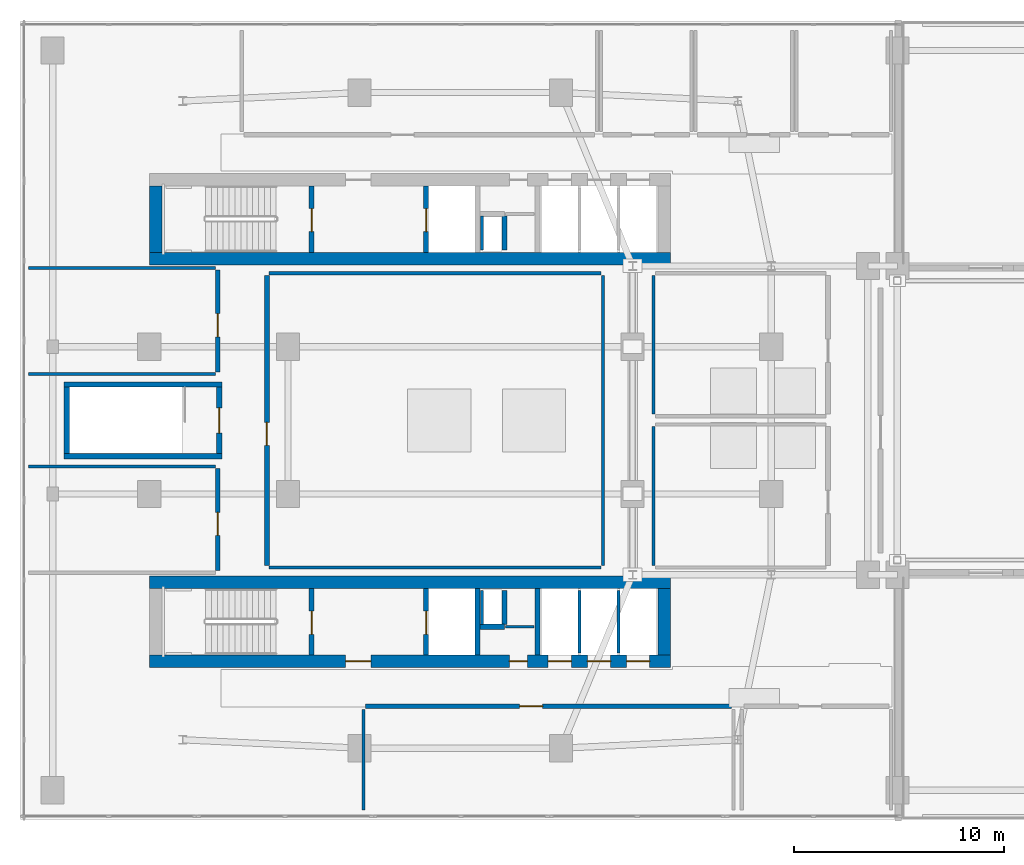
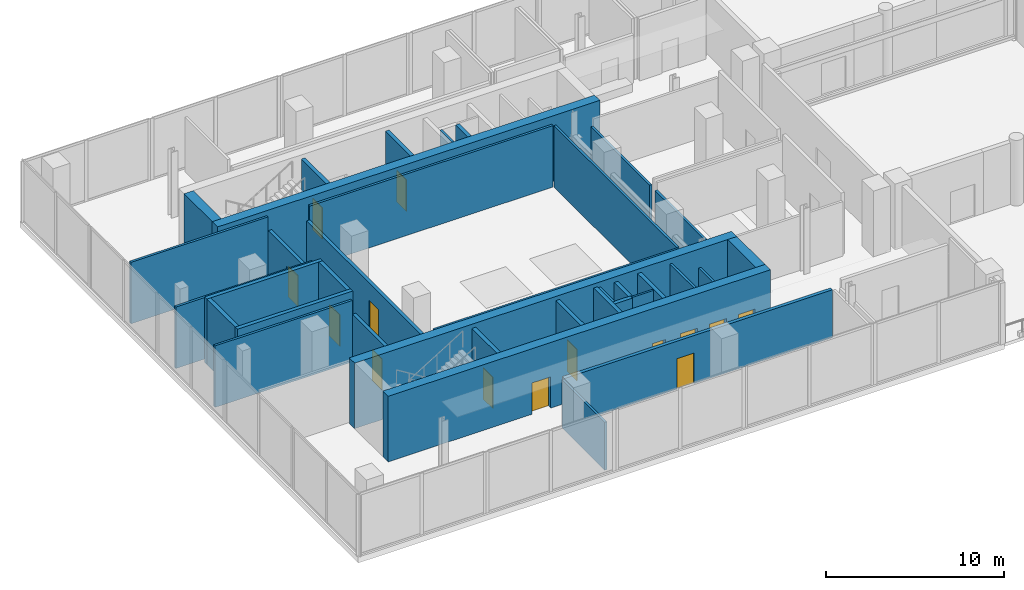
# One storey, part 14 of 21: 36 walls, 14 doors, 14 openings.
"""IFC4 building model written with IfcOpenShell, lengths in metres."""

from ifc_helpers import new_model, si_unit, derived_unit, direction, frame, frame_2d, origin, place, context, subcontext, project, spatial, rectangle, extrude, material, layer, layer_set, type_object, element, fill, save


model = new_model("IFC4")

# Units and contexts
model_context = context("Model", 3, precision=1e-05, world=origin(), true_north=direction((0.0, 1.0)))
body_context = subcontext(model_context, "Body", "Model", "MODEL_VIEW")
ifc_project = project(units=[si_unit("LENGTHUNIT", "METRE"), si_unit("AREAUNIT", "SQUARE_METRE"), si_unit("VOLUMEUNIT", "CUBIC_METRE"), si_unit("PLANEANGLEUNIT", "RADIAN"), si_unit("MASSUNIT", "GRAM", prefix="KILO"), derived_unit("THERMALTRANSMITTANCEUNIT", [(si_unit("POWERUNIT", "WATT"), 1), (si_unit("LENGTHUNIT", "METRE"), -2), (si_unit("THERMODYNAMICTEMPERATUREUNIT", "KELVIN"), -1)])], contexts=[model_context])

# Site, building, storey
site_placement = place(None, origin())
site = spatial("IfcSite", under=ifc_project, at=site_placement, CompositionType="ELEMENT")
building_placement = place(site_placement, origin())
building = spatial("IfcBuilding", under=site, at=building_placement, Name="Kivonza Crest Hotel", CompositionType="ELEMENT")
storey_placement = place(building_placement, frame((0.0, 0.0, 19.5)))
storey = spatial("IfcBuildingStorey", under=building, at=storey_placement, Name="L04", CompositionType="ELEMENT", Elevation=19.5)

# Wall, opening, door
ifc_material_1 = material(Name="Autoclaved aerated concrete blockwork", Category="masonry")
ifc_layer_1 = layer(ifc_material_1, 0.219970703125)
ifc_layer_set_1 = layer_set([ifc_layer_1], Name="Autoclaved aerated concrete blockwork")
wall_type_1 = type_object("IfcWallType", Name="WL-ACOU-220", PredefinedType="SOLIDWALL", material=ifc_layer_set_1)
wall_1_placement = place(storey_placement, frame((11.800048828125, 18.10009765625, 0.0), z_axis=(0.0, 0.0, 1.0), x_axis=(0.0, 1.0, 0.0)))
wall_1 = element("IfcWall", 1, at=wall_1_placement, inside=storey, type_object=wall_type_1, Name="L04 interior partition WA-L04-SPA-REC-W", PredefinedType="SOLIDWALL", context=body_context, shape_type="SweptSolid", body=[
    extrude(rectangle(XDim=13.7998046875, YDim=0.219970703125, at=frame_2d((6.89990234375, 0.0))), origin(), (0.0, 0.0, 1.0), 3.294921875),
])
opening_1_placement = place(wall_1_placement, frame((5.705078125, 0.0, 0.0)))
opening_1 = element("IfcOpeningElement", 2, at=opening_1_placement, cuts=wall_1, Name="Opening DF-60M", PredefinedType="OPENING", context=body_context, shape_type="SweptSolid", body=[
    extrude(rectangle(XDim=1.10009765625, YDim=2.10009765625, at=frame_2d((0.550048828125, 1.050048828125))), frame((0.0, 0.1201171875, 0.0), z_axis=(0.0, -1.0, 0.0), x_axis=(1.0, 0.0, 0.0)), (0.0, 0.0, 1.0), 0.239990234375),
])
ifc_material_2 = material(Name="Hardwood timber oak", Category="wood")
door_type_1 = type_object("IfcDoorType", Name="DR-FD60-1100", OperationType="NOTDEFINED", PredefinedType="DOOR", material=ifc_material_2)
door_1_placement = place(opening_1_placement, frame((1.10009765625, 0.0, 0.0), z_axis=(0.0, 0.0, 1.0), x_axis=(-1.0, 0.0, 0.0)))
door_1 = element("IfcDoor", 3, at=door_1_placement, inside=storey, type_object=door_type_1, Name="L04 Wellness Spa Reception Hall door", OperationType="SINGLE_SWING_LEFT", OverallHeight=2.10009765625, OverallWidth=1.10009765625, PredefinedType="DOOR", context=body_context, shape_type="SweptSolid", body=[
    extrude(rectangle(XDim=1.10009765625, YDim=2.10009765625, at=frame_2d((0.550048828125, 1.050048828125))), frame((0.0, 0.02490234375, 0.0), z_axis=(0.0, -1.0, 0.0), x_axis=(1.0, 0.0, 0.0)), (0.0, 0.0, 1.0), 0.050048828125),
])
fill(opening_1, door_1)

wall_2_placement = place(storey_placement, frame((16.5, 11.39990234375, 0.0), z_axis=(0.0, 0.0, 1.0), x_axis=(1.0, 0.0, 0.0)))
wall_2 = element("IfcWall", 4, at=wall_2_placement, inside=storey, type_object=wall_type_1, Name="L04 interior partition WA-L04-LAP-POOL-N", PredefinedType="SOLIDWALL", context=body_context, shape_type="SweptSolid", body=[
    extrude(rectangle(XDim=17.39990234375, YDim=0.219970703125, at=frame_2d((8.699951171875, 0.0))), origin(), (0.0, 0.0, 1.0), 3.294921875),
])
opening_2_placement = place(wall_2_placement, frame((7.324951171875, 0.0, 0.0)))
opening_2 = element("IfcOpeningElement", 5, at=opening_2_placement, cuts=wall_2, Name="Opening DF-60M", PredefinedType="OPENING", context=body_context, shape_type="SweptSolid", body=[
    extrude(rectangle(XDim=1.10009765625, YDim=2.10009765625, at=frame_2d((0.550048828125, 1.050048828125))), frame((0.0, 0.1201171875, 0.0), z_axis=(0.0, -1.0, 0.0), x_axis=(1.0, 0.0, 0.0)), (0.0, 0.0, 1.0), 0.239990234375),
])
door_2_placement = place(opening_2_placement, frame((1.10009765625, 0.0, 0.0), z_axis=(0.0, 0.0, 1.0), x_axis=(-1.0, 0.0, 0.0)))
door_2 = element("IfcDoor", 6, at=door_2_placement, inside=storey, type_object=door_type_1, Name="L04 Indoor Lap Pool Hall door", OperationType="SINGLE_SWING_RIGHT", OverallHeight=2.10009765625, OverallWidth=1.10009765625, PredefinedType="DOOR", context=body_context, shape_type="SweptSolid", body=[
    extrude(rectangle(XDim=1.10009765625, YDim=2.10009765625, at=frame_2d((0.550048828125, 1.050048828125))), frame((0.0, 0.02490234375, 0.0), z_axis=(0.0, -1.0, 0.0), x_axis=(1.0, 0.0, 0.0)), (0.0, 0.0, 1.0), 0.050048828125),
])
fill(opening_2, door_2)

wall_3_placement = place(storey_placement, frame((9.449951171875, 17.85009765625, 0.0), z_axis=(0.0, 0.0, 1.0), x_axis=(0.0, 1.0, 0.0)))
wall_3 = element("IfcWall", 7, at=wall_3_placement, inside=storey, type_object=wall_type_1, Name="L04 interior partition WA-L04-W-SPA4S-E", PredefinedType="SOLIDWALL", context=body_context, shape_type="SweptSolid", body=[
    extrude(rectangle(XDim=4.849853515625, YDim=0.219970703125, at=frame_2d((2.4248046875, 0.0))), origin(), (0.0, 0.0, 1.0), 3.294921875),
])
opening_3_placement = place(wall_3_placement, frame((1.677978515625, 0.0, 0.0)))
opening_3 = element("IfcOpeningElement", 8, at=opening_3_placement, cuts=wall_3, Name="Opening DF-60M", PredefinedType="OPENING", context=body_context, shape_type="SweptSolid", body=[
    extrude(rectangle(XDim=1.10009765625, YDim=2.10009765625, at=frame_2d((0.550048828125, 1.050048828125))), frame((0.0, 0.1201171875, 0.0), z_axis=(0.0, -1.0, 0.0), x_axis=(1.0, 0.0, 0.0)), (0.0, 0.0, 1.0), 0.239990234375),
])
door_3_placement = place(opening_3_placement, origin())
door_3 = element("IfcDoor", 9, at=door_3_placement, inside=storey, type_object=door_type_1, Name="L04 West Hydrotherapy Suite door", OperationType="SINGLE_SWING_RIGHT", OverallHeight=2.10009765625, OverallWidth=1.10009765625, PredefinedType="DOOR", context=body_context, shape_type="SweptSolid", body=[
    extrude(rectangle(XDim=1.10009765625, YDim=2.10009765625, at=frame_2d((0.550048828125, 1.050048828125))), frame((0.0, 0.02490234375, 0.0), z_axis=(0.0, -1.0, 0.0), x_axis=(1.0, 0.0, 0.0)), (0.0, 0.0, 1.0), 0.050048828125),
])
fill(opening_3, door_3)

wall_4_placement = place(storey_placement, frame((9.449951171875, 27.300048828125, 0.0), z_axis=(0.0, 0.0, 1.0), x_axis=(0.0, 1.0, 0.0)))
wall_4 = element("IfcWall", 10, at=wall_4_placement, inside=storey, type_object=wall_type_1, Name="L04 interior partition WA-L04-W-SPA4N-E", PredefinedType="SOLIDWALL", context=body_context, shape_type="SweptSolid", body=[
    extrude(rectangle(XDim=4.849853515625, YDim=0.219970703125, at=frame_2d((2.4248046875, 0.0))), origin(), (0.0, 0.0, 1.0), 3.294921875),
])
opening_4_placement = place(wall_4_placement, frame((1.677978515625, 0.0, 0.0)))
opening_4 = element("IfcOpeningElement", 11, at=opening_4_placement, cuts=wall_4, Name="Opening DF-60M", PredefinedType="OPENING", context=body_context, shape_type="SweptSolid", body=[
    extrude(rectangle(XDim=1.10009765625, YDim=2.10009765625, at=frame_2d((0.550048828125, 1.050048828125))), frame((0.0, 0.1201171875, 0.0), z_axis=(0.0, -1.0, 0.0), x_axis=(1.0, 0.0, 0.0)), (0.0, 0.0, 1.0), 0.239990234375),
])
door_4_placement = place(opening_4_placement, origin())
door_4 = element("IfcDoor", 12, at=door_4_placement, inside=storey, type_object=door_type_1, Name="L04 West Thermal Sauna Suite door", OperationType="SINGLE_SWING_LEFT", OverallHeight=2.10009765625, OverallWidth=1.10009765625, PredefinedType="DOOR", context=body_context, shape_type="SweptSolid", body=[
    extrude(rectangle(XDim=1.10009765625, YDim=2.10009765625, at=frame_2d((0.550048828125, 1.050048828125))), frame((0.0, 0.02490234375, 0.0), z_axis=(0.0, -1.0, 0.0), x_axis=(1.0, 0.0, 0.0)), (0.0, 0.0, 1.0), 0.050048828125),
])
fill(opening_4, door_4)

# Walls
ifc_material_3 = material(Name="Concrete C60/75", Category="concrete")
ifc_layer_2 = layer(ifc_material_3, 0.60009765625)
ifc_layer_set_2 = layer_set([ifc_layer_2], Name="Concrete C60/75")
wall_type_2 = type_object("IfcWallType", Name="WL-CORE-600", PredefinedType="SHEAR", material=ifc_layer_set_2)
wall_5_placement = place(storey_placement, frame((6.199951171875, 32.699951171875, 0.0), z_axis=(0.0, 0.0, 1.0), x_axis=(1.0, 0.0, 0.0)))
element("IfcWall", 13, at=wall_5_placement, inside=storey, type_object=wall_type_2, Name="Core wall T1-N South L04", PredefinedType="SHEAR", context=body_context, shape_type="SweptSolid", body=[
    extrude(rectangle(XDim=24.800048828125, YDim=0.60009765625, at=frame_2d((12.39990234375, 0.0))), origin(), (0.0, 0.0, 1.0), 4.5),
])
wall_6_placement = place(storey_placement, frame((6.5, 33.0, 0.0), z_axis=(0.0, 0.0, 1.0), x_axis=(0.0, 1.0, 0.0)))
element("IfcWall", 14, at=wall_6_placement, inside=storey, type_object=wall_type_2, Name="Core wall T1-N West L04", PredefinedType="SHEAR", context=body_context, shape_type="SweptSolid", body=[
    extrude(rectangle(XDim=3.159912109375, YDim=0.60009765625, at=frame_2d((1.580078125, 0.0))), origin(), (0.0, 0.0, 1.0), 4.5),
])

# Wall, openings, doors
wall_7_placement = place(storey_placement, frame((6.199951171875, 13.5400390625, 0.0), z_axis=(0.0, 0.0, 1.0), x_axis=(1.0, 0.0, 0.0)))
wall_7 = element("IfcWall", 15, at=wall_7_placement, inside=storey, type_object=wall_type_2, Name="Core wall T1-S South L04", PredefinedType="SHEAR", context=body_context, shape_type="SweptSolid", body=[
    extrude(rectangle(XDim=24.800048828125, YDim=0.60009765625, at=frame_2d((12.39990234375, 0.0))), origin(), (0.0, 0.0, 1.0), 4.5),
])
opening_5_placement = place(wall_7_placement, frame((9.35009765625, 0.0, 0.0)))
opening_5 = element("IfcOpeningElement", 16, at=opening_5_placement, cuts=wall_7, Name="Opening DF-60", PredefinedType="OPENING", context=body_context, shape_type="SweptSolid", body=[
    extrude(rectangle(XDim=1.199951171875, YDim=2.14990234375, at=frame_2d((0.60009765625, 1.074951171875))), frame((0.0, 0.31005859375, 0.0), z_axis=(0.0, -1.0, 0.0), x_axis=(1.0, 0.0, 0.0)), (0.0, 0.0, 1.0), 0.6201171875),
])
opening_6_placement = place(wall_7_placement, frame((17.139892578125, 0.0, 0.0)))
opening_6 = element("IfcOpeningElement", 17, at=opening_6_placement, cuts=wall_7, Name="Opening DF-60R", PredefinedType="OPENING", context=body_context, shape_type="SweptSolid", body=[
    extrude(rectangle(XDim=0.85009765625, YDim=2.10009765625, at=frame_2d((0.425048828125, 1.050048828125))), frame((0.0, 0.31005859375, 0.0), z_axis=(0.0, -1.0, 0.0), x_axis=(1.0, 0.0, 0.0)), (0.0, 0.0, 1.0), 0.6201171875),
])
opening_7_placement = place(wall_7_placement, frame((18.98291015625, 0.0, 0.0)))
opening_7 = element("IfcOpeningElement", 18, at=opening_7_placement, cuts=wall_7, Name="Opening LD-120", PredefinedType="OPENING", context=body_context, shape_type="SweptSolid", body=[
    extrude(rectangle(XDim=1.10009765625, YDim=2.14990234375, at=frame_2d((0.550048828125, 1.074951171875))), frame((0.0, 0.31005859375, 0.0), z_axis=(0.0, -1.0, 0.0), x_axis=(1.0, 0.0, 0.0)), (0.0, 0.0, 1.0), 0.6201171875),
])
opening_8_placement = place(wall_7_placement, frame((20.85009765625, 0.0, 0.0)))
opening_8 = element("IfcOpeningElement", 19, at=opening_8_placement, cuts=wall_7, Name="Opening LD-120", PredefinedType="OPENING", context=body_context, shape_type="SweptSolid", body=[
    extrude(rectangle(XDim=1.10009765625, YDim=2.14990234375, at=frame_2d((0.550048828125, 1.074951171875))), frame((0.0, 0.31005859375, 0.0), z_axis=(0.0, -1.0, 0.0), x_axis=(1.0, 0.0, 0.0)), (0.0, 0.0, 1.0), 0.6201171875),
])
opening_9_placement = place(wall_7_placement, frame((22.716064453125, 0.0, 0.0)))
opening_9 = element("IfcOpeningElement", 20, at=opening_9_placement, cuts=wall_7, Name="Opening LD-120", PredefinedType="OPENING", context=body_context, shape_type="SweptSolid", body=[
    extrude(rectangle(XDim=1.10009765625, YDim=2.14990234375, at=frame_2d((0.550048828125, 1.074951171875))), frame((0.0, 0.31005859375, 0.0), z_axis=(0.0, -1.0, 0.0), x_axis=(1.0, 0.0, 0.0)), (0.0, 0.0, 1.0), 0.6201171875),
])
door_type_2 = type_object("IfcDoorType", Name="DR-FD60-1200", OperationType="NOTDEFINED", PredefinedType="DOOR", material=ifc_material_2)
door_5_placement = place(opening_5_placement, frame((1.199951171875, 0.0, 0.0), z_axis=(0.0, 0.0, 1.0), x_axis=(-1.0, 0.0, 0.0)))
door_5 = element("IfcDoor", 21, at=door_5_placement, inside=storey, type_object=door_type_2, Name="L04 T1-S firefighting lobby fire door", OperationType="SINGLE_SWING_LEFT", OverallHeight=2.14990234375, OverallWidth=1.199951171875, PredefinedType="DOOR", context=body_context, shape_type="SweptSolid", body=[
    extrude(rectangle(XDim=1.199951171875, YDim=2.14990234375, at=frame_2d((0.60009765625, 1.074951171875))), frame((0.0, 0.02490234375, 0.0), z_axis=(0.0, -1.0, 0.0), x_axis=(1.0, 0.0, 0.0)), (0.0, 0.0, 1.0), 0.050048828125),
])
fill(opening_5, door_5)
door_type_3 = type_object("IfcDoorType", Name="DR-FD60-850", OperationType="NOTDEFINED", PredefinedType="DOOR", material=ifc_material_2)
door_6_placement = place(opening_6_placement, frame((0.85009765625, 0.0, 0.0), z_axis=(0.0, 0.0, 1.0), x_axis=(-1.0, 0.0, 0.0)))
door_6 = element("IfcDoor", 22, at=door_6_placement, inside=storey, type_object=door_type_3, Name="L04 T1-S core room door", OperationType="SINGLE_SWING_RIGHT", OverallHeight=2.10009765625, OverallWidth=0.85009765625, PredefinedType="DOOR", context=body_context, shape_type="SweptSolid", body=[
    extrude(rectangle(XDim=0.85009765625, YDim=2.10009765625, at=frame_2d((0.425048828125, 1.050048828125))), frame((0.0, 0.02490234375, 0.0), z_axis=(0.0, -1.0, 0.0), x_axis=(1.0, 0.0, 0.0)), (0.0, 0.0, 1.0), 0.050048828125),
])
fill(opening_6, door_6)
ifc_material_4 = material(Name="Stainless steel", Category="steel")
door_type_4 = type_object("IfcDoorType", Name="DR-LD120-1100", OperationType="NOTDEFINED", PredefinedType="DOOR", material=ifc_material_4)
door_7_placement = place(opening_7_placement, frame((1.10009765625, 0.0, 0.0), z_axis=(0.0, 0.0, 1.0), x_axis=(-1.0, 0.0, 0.0)))
door_7 = element("IfcDoor", 23, at=door_7_placement, inside=storey, type_object=door_type_4, Name="L04 PL-T1-H1 passenger lift sliding landing door", OperationType="DOUBLE_DOOR_SLIDING", OverallHeight=2.14990234375, OverallWidth=1.10009765625, PredefinedType="DOOR", context=body_context, shape_type="SweptSolid", body=[
    extrude(rectangle(XDim=1.10009765625, YDim=2.14990234375, at=frame_2d((0.550048828125, 1.074951171875))), frame((0.0, 0.02490234375, 0.0), z_axis=(0.0, -1.0, 0.0), x_axis=(1.0, 0.0, 0.0)), (0.0, 0.0, 1.0), 0.050048828125),
])
fill(opening_7, door_7)
door_8_placement = place(opening_8_placement, frame((1.10009765625, 0.0, 0.0), z_axis=(0.0, 0.0, 1.0), x_axis=(-1.0, 0.0, 0.0)))
door_8 = element("IfcDoor", 24, at=door_8_placement, inside=storey, type_object=door_type_4, Name="L04 PL-T1-H2 passenger lift sliding landing door", OperationType="DOUBLE_DOOR_SLIDING", OverallHeight=2.14990234375, OverallWidth=1.10009765625, PredefinedType="DOOR", context=body_context, shape_type="SweptSolid", body=[
    extrude(rectangle(XDim=1.10009765625, YDim=2.14990234375, at=frame_2d((0.550048828125, 1.074951171875))), frame((0.0, 0.02490234375, 0.0), z_axis=(0.0, -1.0, 0.0), x_axis=(1.0, 0.0, 0.0)), (0.0, 0.0, 1.0), 0.050048828125),
])
fill(opening_8, door_8)
door_9_placement = place(opening_9_placement, frame((1.10009765625, 0.0, 0.0), z_axis=(0.0, 0.0, 1.0), x_axis=(-1.0, 0.0, 0.0)))
door_9 = element("IfcDoor", 25, at=door_9_placement, inside=storey, type_object=door_type_4, Name="L04 PL-T1-H3 passenger lift sliding landing door", OperationType="DOUBLE_DOOR_SLIDING", OverallHeight=2.14990234375, OverallWidth=1.10009765625, PredefinedType="DOOR", context=body_context, shape_type="SweptSolid", body=[
    extrude(rectangle(XDim=1.10009765625, YDim=2.14990234375, at=frame_2d((0.550048828125, 1.074951171875))), frame((0.0, 0.02490234375, 0.0), z_axis=(0.0, -1.0, 0.0), x_axis=(1.0, 0.0, 0.0)), (0.0, 0.0, 1.0), 0.050048828125),
])
fill(opening_9, door_9)

# Walls
wall_8_placement = place(storey_placement, frame((6.199951171875, 17.300048828125, 0.0), z_axis=(0.0, 0.0, 1.0), x_axis=(1.0, 0.0, 0.0)))
element("IfcWall", 26, at=wall_8_placement, inside=storey, type_object=wall_type_2, Name="Core wall T1-S North L04", PredefinedType="SHEAR", context=body_context, shape_type="SweptSolid", body=[
    extrude(rectangle(XDim=24.800048828125, YDim=0.60009765625, at=frame_2d((12.39990234375, 0.0))), origin(), (0.0, 0.0, 1.0), 4.5),
])
wall_9_placement = place(storey_placement, frame((30.699951171875, 13.840087890625, 0.0), z_axis=(0.0, 0.0, 1.0), x_axis=(0.0, 1.0, 0.0)))
element("IfcWall", 27, at=wall_9_placement, inside=storey, type_object=wall_type_2, Name="Core wall T1-S East L04", PredefinedType="SHEAR", context=body_context, shape_type="SweptSolid", body=[
    extrude(rectangle(XDim=3.159912109375, YDim=0.60009765625, at=frame_2d((1.580078125, 0.0))), origin(), (0.0, 0.0, 1.0), 4.5),
])
ifc_material_5 = material(Name="Concrete blockwork fire-compartment wall", Category="masonry")
ifc_layer_3 = layer(ifc_material_5, 0.25)
ifc_layer_set_3 = layer_set([ifc_layer_3], Name="Concrete blockwork fire-compartment wall")
wall_type_3 = type_object("IfcWallType", Name="WL-FIRE-250", PredefinedType="SOLIDWALL", material=ifc_layer_set_3)
for number, where, z_axis, x_axis, name in (
    (28, (23.10009765625, 33.10009765625, 0.0), (0.0, 0.0, 1.0), (0.0, 1.0, 0.0), "L04 interior partition WA-L04-T1-N-MEPR-E"),
    (29, (23.10009765625, 15.280029296875, 0.0), (0.0, 0.0, 1.0), (0.0, 1.0, 0.0), "L04 interior partition WA-L04-T1-S-MEPR-E"),
):
    element("IfcWall", number, at=place(storey_placement, frame(where, z_axis=z_axis, x_axis=x_axis)), inside=storey, type_object=wall_type_3, Name=name, PredefinedType="SOLIDWALL", context=body_context, shape_type="SweptSolid", body=[
        extrude(rectangle(XDim=1.619873046875, YDim=0.25, at=frame_2d((0.81005859375, 0.0))), origin(), (0.0, 0.0, 1.0), 4.219970703125),
    ])
wall_10_placement = place(storey_placement, frame((21.949951171875, 15.179931640625, 0.0), z_axis=(0.0, 0.0, 1.0), x_axis=(1.0, 0.0, 0.0)))
element("IfcWall", 30, at=wall_10_placement, inside=storey, type_object=wall_type_3, Name="L04 interior partition WA-L04-T1-S-MEPR-H", PredefinedType="SOLIDWALL", context=body_context, shape_type="SweptSolid", body=[
    extrude(rectangle(XDim=1.150146484375, YDim=0.25, at=frame_2d((0.5751953125, 0.0))), origin(), (0.0, 0.0, 1.0), 4.219970703125),
])
ifc_material_6 = material(Name="Metal-stud gypsum board partition", Category="gypsum")
ifc_layer_4 = layer(ifc_material_6, 0.125)
ifc_layer_set_4 = layer_set([ifc_layer_4], Name="Metal-stud gypsum board partition")
wall_type_4 = type_object("IfcWallType", Name="WL-PART-125", PredefinedType="PARTITIONING", material=ifc_layer_set_4)
wall_11_placement = place(storey_placement, frame((23.14990234375, 15.179931640625, 0.0), z_axis=(0.0, 0.0, 1.0), x_axis=(1.0, 0.0, 0.0)))
element("IfcWall", 31, at=wall_11_placement, inside=storey, type_object=wall_type_4, Name="L04 interior partition WP-L04-T1-S-SV2H", PredefinedType="PARTITIONING", context=body_context, shape_type="SweptSolid", body=[
    extrude(rectangle(XDim=1.35009765625, YDim=0.125, at=frame_2d((0.675048828125, 0.0))), origin(), (0.0, 0.0, 1.0), 4.219970703125),
])
ifc_material_7 = material(Name="Twin-stud acoustic gypsum board partition", Category="gypsum")
ifc_layer_5 = layer(ifc_material_7, 0.14990234375)
ifc_layer_set_5 = layer_set([ifc_layer_5], Name="Twin-stud acoustic gypsum board partition")
wall_type_5 = type_object("IfcWallType", Name="WL-PART-150", PredefinedType="PARTITIONING", material=ifc_layer_set_5)
for number, where, z_axis, x_axis, name in (
    (32, (22.030029296875, 33.10009765625, 0.0), (0.0, 0.0, 1.0), (0.0, 1.0, 0.0), "L04 interior partition WA-L04-T1-N-MEPR-W"),
    (33, (22.030029296875, 15.280029296875, 0.0), (0.0, 0.0, 1.0), (0.0, 1.0, 0.0), "L04 interior partition WA-L04-T1-S-MEPR-W"),
):
    element("IfcWall", number, at=place(storey_placement, frame(where, z_axis=z_axis, x_axis=x_axis)), inside=storey, type_object=wall_type_5, Name=name, PredefinedType="PARTITIONING", context=body_context, shape_type="SweptSolid", body=[
        extrude(rectangle(XDim=1.619873046875, YDim=0.14990234375, at=frame_2d((0.81005859375, 0.0))), origin(), (0.0, 0.0, 1.0), 4.219970703125),
    ])
wall_12_placement = place(storey_placement, frame((26.6669921875, 13.93994140625, 0.0), z_axis=(0.0, 0.0, 1.0), x_axis=(0.0, 1.0, 0.0)))
element("IfcWall", 34, at=wall_12_placement, inside=storey, type_object=wall_type_5, Name="L04 interior partition WP-L04-T1-S-BSH-1", PredefinedType="PARTITIONING", context=body_context, shape_type="SweptSolid", body=[
    extrude(rectangle(XDim=2.9599609375, YDim=0.14990234375, at=frame_2d((1.47998046875, 0.0))), origin(), (0.0, 0.0, 1.0), 4.219970703125),
])
wall_13_placement = place(storey_placement, frame((28.532958984375, 13.93994140625, 0.0), z_axis=(0.0, 0.0, 1.0), x_axis=(0.0, 1.0, 0.0)))
element("IfcWall", 35, at=wall_13_placement, inside=storey, type_object=wall_type_5, Name="L04 interior partition WP-L04-T1-S-BSH-2", PredefinedType="PARTITIONING", context=body_context, shape_type="SweptSolid", body=[
    extrude(rectangle(XDim=2.9599609375, YDim=0.14990234375, at=frame_2d((1.47998046875, 0.0))), origin(), (0.0, 0.0, 1.0), 3.294921875),
])
wall_14_placement = place(storey_placement, frame((27.800048828125, 18.10009765625, 0.0), z_axis=(0.0, 0.0, 1.0), x_axis=(0.0, 1.0, 0.0)))
element("IfcWall", 36, at=wall_14_placement, inside=storey, type_object=wall_type_5, Name="L04 interior partition WP-L04-SPA-REC-BE", PredefinedType="PARTITIONING", context=body_context, shape_type="SweptSolid", body=[
    extrude(rectangle(XDim=13.7998046875, YDim=0.14990234375, at=frame_2d((6.89990234375, 0.0))), origin(), (0.0, 0.0, 1.0), 4.219970703125),
])
for number, where, z_axis, x_axis, name in (
    (37, (11.89990234375, 18.0, 0.0), (0.0, 0.0, 1.0), (1.0, 0.0, 0.0), "L04 interior partition WP-L04-SPA-REC-BS"),
    (38, (11.89990234375, 32.0, 0.0), (0.0, 0.0, 1.0), (1.0, 0.0, 0.0), "L04 interior partition WP-L04-SPA-REC-BN"),
):
    element("IfcWall", number, at=place(storey_placement, frame(where, z_axis=z_axis, x_axis=x_axis)), inside=storey, type_object=wall_type_5, Name=name, PredefinedType="PARTITIONING", context=body_context, shape_type="SweptSolid", body=[
        extrude(rectangle(XDim=15.800048828125, YDim=0.14990234375, at=frame_2d((7.89990234375, 0.0))), origin(), (0.0, 0.0, 1.0), 4.219970703125),
    ])
wall_15_placement = place(storey_placement, frame((16.39990234375, 6.449951171875, 0.0), z_axis=(0.0, 0.0, 1.0), x_axis=(0.0, 1.0, 0.0)))
element("IfcWall", 39, at=wall_15_placement, inside=storey, type_object=wall_type_5, Name="L04 interior partition WP-L04-LAP-POOL-BW", PredefinedType="PARTITIONING", context=body_context, shape_type="SweptSolid", body=[
    extrude(rectangle(XDim=4.800048828125, YDim=0.14990234375, at=frame_2d((2.39990234375, 0.0))), origin(), (0.0, 0.0, 1.0), 3.294921875),
])
for number, where, z_axis, x_axis, name in (
    (40, (30.199951171875, 18.10009765625, 0.0), (0.0, 0.0, 1.0), (0.0, 1.0, 0.0), "L04 interior partition WP-L04-SPA-TR1-BW"),
    (41, (30.199951171875, 25.300048828125, 0.0), (0.0, 0.0, 1.0), (0.0, 1.0, 0.0), "L04 interior partition WP-L04-SPA-TR2-BW"),
):
    element("IfcWall", number, at=place(storey_placement, frame(where, z_axis=z_axis, x_axis=x_axis)), inside=storey, type_object=wall_type_5, Name=name, PredefinedType="PARTITIONING", context=body_context, shape_type="SweptSolid", body=[
        extrude(rectangle(XDim=6.599853515625, YDim=0.14990234375, at=frame_2d((3.2998046875, 0.0))), origin(), (0.0, 0.0, 1.0), 3.294921875),
    ])
for number, where, z_axis, x_axis, name in (
    (42, (0.449951171875, 22.800048828125, 0.0), (0.0, 0.0, 1.0), (1.0, 0.0, 0.0), "L04 interior partition WP-L04-W-SPA4S-BN"),
    (43, (0.449951171875, 27.199951171875, 0.0), (0.0, 0.0, 1.0), (1.0, 0.0, 0.0), "L04 interior partition WP-L04-W-SPA4N-BS"),
    (44, (0.449951171875, 32.25, 0.0), (0.0, 0.0, 1.0), (1.0, 0.0, 0.0), "L04 interior partition WP-L04-W-SPA4N-BN"),
):
    element("IfcWall", number, at=place(storey_placement, frame(where, z_axis=z_axis, x_axis=x_axis)), inside=storey, type_object=wall_type_5, Name=name, PredefinedType="PARTITIONING", context=body_context, shape_type="SweptSolid", body=[
        extrude(rectangle(XDim=8.900146484375, YDim=0.14990234375, at=frame_2d((4.4501953125, 0.0))), origin(), (0.0, 0.0, 1.0), 4.219970703125),
    ])

# Wall, opening, door
ifc_material_8 = material(Name="Concrete C50/60", Category="concrete")
ifc_layer_6 = layer(ifc_material_8, 0.25)
ifc_layer_set_6 = layer_set([ifc_layer_6], Name="Concrete C50/60")
wall_type_6 = type_object("IfcWallType", Name="WL-SHAFT-250", PredefinedType="STANDARD", material=ifc_layer_set_6)
wall_16_placement = place(storey_placement, frame((13.925048828125, 33.0, 0.0), z_axis=(0.0, 0.0, 1.0), x_axis=(0.0, 1.0, 0.0)))
wall_16 = element("IfcWall", 45, at=wall_16_placement, inside=storey, type_object=wall_type_6, Name="Core shaft wall T1-N STAIR L04", PredefinedType="STANDARD", context=body_context, shape_type="SweptSolid", body=[
    extrude(rectangle(XDim=3.159912109375, YDim=0.25, at=frame_2d((1.580078125, 0.0))), origin(), (0.0, 0.0, 1.0), 4.219970703125),
])
opening_10_placement = place(wall_16_placement, frame((0.97998046875, 0.0, 0.0)))
opening_10 = element("IfcOpeningElement", 46, at=opening_10_placement, cuts=wall_16, Name="Opening DF-120", PredefinedType="OPENING", context=body_context, shape_type="SweptSolid", body=[
    extrude(rectangle(XDim=1.10009765625, YDim=2.14990234375, at=frame_2d((0.550048828125, 1.074951171875))), frame((0.0, 0.135009765625, 0.0), z_axis=(0.0, -1.0, 0.0), x_axis=(1.0, 0.0, 0.0)), (0.0, 0.0, 1.0), 0.27001953125),
])
ifc_material_9 = material(Name="Galvanised steel", Category="steel")
door_type_5 = type_object("IfcDoorType", Name="DR-FD120-1100", OperationType="NOTDEFINED", PredefinedType="DOOR", material=ifc_material_9)
door_10_placement = place(opening_10_placement, frame((1.10009765625, 0.0, 0.0), z_axis=(0.0, 0.0, 1.0), x_axis=(-1.0, 0.0, 0.0)))
door_10 = element("IfcDoor", 47, at=door_10_placement, inside=storey, type_object=door_type_5, Name="L04 T1-N stair fire door", OperationType="SINGLE_SWING_LEFT", OverallHeight=2.14990234375, OverallWidth=1.10009765625, PredefinedType="DOOR", context=body_context, shape_type="SweptSolid", body=[
    extrude(rectangle(XDim=1.10009765625, YDim=2.14990234375, at=frame_2d((0.550048828125, 1.074951171875))), frame((0.0, 0.02490234375, 0.0), z_axis=(0.0, -1.0, 0.0), x_axis=(1.0, 0.0, 0.0)), (0.0, 0.0, 1.0), 0.050048828125),
])
fill(opening_10, door_10)

wall_17_placement = place(storey_placement, frame((19.375, 33.0, 0.0), z_axis=(0.0, 0.0, 1.0), x_axis=(0.0, 1.0, 0.0)))
wall_17 = element("IfcWall", 48, at=wall_17_placement, inside=storey, type_object=wall_type_6, Name="Core shaft wall T1-N FFL-W L04", PredefinedType="STANDARD", context=body_context, shape_type="SweptSolid", body=[
    extrude(rectangle(XDim=3.159912109375, YDim=0.25, at=frame_2d((1.580078125, 0.0))), origin(), (0.0, 0.0, 1.0), 4.219970703125),
])
opening_11_placement = place(wall_17_placement, frame((0.97998046875, 0.0, 0.0)))
opening_11 = element("IfcOpeningElement", 49, at=opening_11_placement, cuts=wall_17, Name="Opening LD-120", PredefinedType="OPENING", context=body_context, shape_type="SweptSolid", body=[
    extrude(rectangle(XDim=1.10009765625, YDim=2.14990234375, at=frame_2d((0.550048828125, 1.074951171875))), frame((0.0, 0.135009765625, 0.0), z_axis=(0.0, -1.0, 0.0), x_axis=(1.0, 0.0, 0.0)), (0.0, 0.0, 1.0), 0.27001953125),
])
door_11_placement = place(opening_11_placement, origin())
door_11 = element("IfcDoor", 50, at=door_11_placement, inside=storey, type_object=door_type_4, Name="L04 FFL-T1-N firefighting lift sliding landing door", OperationType="DOUBLE_DOOR_SLIDING", OverallHeight=2.14990234375, OverallWidth=1.10009765625, PredefinedType="DOOR", context=body_context, shape_type="SweptSolid", body=[
    extrude(rectangle(XDim=1.10009765625, YDim=2.14990234375, at=frame_2d((0.550048828125, 1.074951171875))), frame((0.0, 0.02490234375, 0.0), z_axis=(0.0, -1.0, 0.0), x_axis=(1.0, 0.0, 0.0)), (0.0, 0.0, 1.0), 0.050048828125),
])
fill(opening_11, door_11)

wall_18_placement = place(storey_placement, frame((13.925048828125, 13.840087890625, 0.0), z_axis=(0.0, 0.0, 1.0), x_axis=(0.0, 1.0, 0.0)))
wall_18 = element("IfcWall", 51, at=wall_18_placement, inside=storey, type_object=wall_type_6, Name="Core shaft wall T1-S STAIR L04", PredefinedType="STANDARD", context=body_context, shape_type="SweptSolid", body=[
    extrude(rectangle(XDim=3.159912109375, YDim=0.25, at=frame_2d((1.580078125, 0.0))), origin(), (0.0, 0.0, 1.0), 4.219970703125),
])
opening_12_placement = place(wall_18_placement, frame((0.97998046875, 0.0, 0.0)))
opening_12 = element("IfcOpeningElement", 52, at=opening_12_placement, cuts=wall_18, Name="Opening DF-120", PredefinedType="OPENING", context=body_context, shape_type="SweptSolid", body=[
    extrude(rectangle(XDim=1.10009765625, YDim=2.14990234375, at=frame_2d((0.550048828125, 1.074951171875))), frame((0.0, 0.135009765625, 0.0), z_axis=(0.0, -1.0, 0.0), x_axis=(1.0, 0.0, 0.0)), (0.0, 0.0, 1.0), 0.27001953125),
])
door_12_placement = place(opening_12_placement, frame((1.10009765625, 0.0, 0.0), z_axis=(0.0, 0.0, 1.0), x_axis=(-1.0, 0.0, 0.0)))
door_12 = element("IfcDoor", 53, at=door_12_placement, inside=storey, type_object=door_type_5, Name="L04 T1-S stair fire door", OperationType="SINGLE_SWING_RIGHT", OverallHeight=2.14990234375, OverallWidth=1.10009765625, PredefinedType="DOOR", context=body_context, shape_type="SweptSolid", body=[
    extrude(rectangle(XDim=1.10009765625, YDim=2.14990234375, at=frame_2d((0.550048828125, 1.074951171875))), frame((0.0, 0.02490234375, 0.0), z_axis=(0.0, -1.0, 0.0), x_axis=(1.0, 0.0, 0.0)), (0.0, 0.0, 1.0), 0.050048828125),
])
fill(opening_12, door_12)

wall_19_placement = place(storey_placement, frame((19.375, 13.840087890625, 0.0), z_axis=(0.0, 0.0, 1.0), x_axis=(0.0, 1.0, 0.0)))
wall_19 = element("IfcWall", 54, at=wall_19_placement, inside=storey, type_object=wall_type_6, Name="Core shaft wall T1-S FFL-W L04", PredefinedType="STANDARD", context=body_context, shape_type="SweptSolid", body=[
    extrude(rectangle(XDim=3.159912109375, YDim=0.25, at=frame_2d((1.580078125, 0.0))), origin(), (0.0, 0.0, 1.0), 4.219970703125),
])
opening_13_placement = place(wall_19_placement, frame((0.97998046875, 0.0, 0.0)))
opening_13 = element("IfcOpeningElement", 55, at=opening_13_placement, cuts=wall_19, Name="Opening LD-120", PredefinedType="OPENING", context=body_context, shape_type="SweptSolid", body=[
    extrude(rectangle(XDim=1.10009765625, YDim=2.14990234375, at=frame_2d((0.550048828125, 1.074951171875))), frame((0.0, 0.135009765625, 0.0), z_axis=(0.0, -1.0, 0.0), x_axis=(1.0, 0.0, 0.0)), (0.0, 0.0, 1.0), 0.27001953125),
])
door_13_placement = place(opening_13_placement, origin())
door_13 = element("IfcDoor", 56, at=door_13_placement, inside=storey, type_object=door_type_4, Name="L04 FFL-T1-S firefighting lift sliding landing door", OperationType="DOUBLE_DOOR_SLIDING", OverallHeight=2.14990234375, OverallWidth=1.10009765625, PredefinedType="DOOR", context=body_context, shape_type="SweptSolid", body=[
    extrude(rectangle(XDim=1.10009765625, YDim=2.14990234375, at=frame_2d((0.550048828125, 1.074951171875))), frame((0.0, 0.02490234375, 0.0), z_axis=(0.0, -1.0, 0.0), x_axis=(1.0, 0.0, 0.0)), (0.0, 0.0, 1.0), 0.050048828125),
])
fill(opening_13, door_13)

# Walls
for number, where, z_axis, x_axis, name in (
    (57, (21.824951171875, 13.840087890625, 0.0), (0.0, 0.0, 1.0), (0.0, 1.0, 0.0), "Core shaft wall T1-S FFL-E L04"),
    (58, (24.675048828125, 13.840087890625, 0.0), (0.0, 0.0, 1.0), (0.0, 1.0, 0.0), "Core shaft wall T1-S BANK-W L04"),
):
    element("IfcWall", number, at=place(storey_placement, frame(where, z_axis=z_axis, x_axis=x_axis)), inside=storey, type_object=wall_type_6, Name=name, PredefinedType="STANDARD", context=body_context, shape_type="SweptSolid", body=[
        extrude(rectangle(XDim=3.159912109375, YDim=0.25, at=frame_2d((1.580078125, 0.0))), origin(), (0.0, 0.0, 1.0), 4.219970703125),
    ])
for number, where, z_axis, x_axis, name in (
    (59, (2.14990234375, 23.294921875, 0.0), (0.0, 0.0, 1.0), (1.0, 0.0, 0.0), "Podium stair enclosure wall ST-POD-W S L04"),
    (60, (2.14990234375, 26.705078125, 0.0), (0.0, 0.0, 1.0), (1.0, 0.0, 0.0), "Podium stair enclosure wall ST-POD-W N L04"),
):
    element("IfcWall", number, at=place(storey_placement, frame(where, z_axis=z_axis, x_axis=x_axis)), inside=storey, type_object=wall_type_6, Name=name, PredefinedType="STANDARD", context=body_context, shape_type="SweptSolid", body=[
        extrude(rectangle(XDim=7.5, YDim=0.25, at=frame_2d((3.75, 0.0))), origin(), (0.0, 0.0, 1.0), 4.5),
    ])
wall_20_placement = place(storey_placement, frame((2.27490234375, 23.419921875, 0.0), z_axis=(0.0, 0.0, 1.0), x_axis=(0.0, 1.0, 0.0)))
element("IfcWall", 61, at=wall_20_placement, inside=storey, type_object=wall_type_6, Name="Podium stair enclosure wall ST-POD-W W L04", PredefinedType="STANDARD", context=body_context, shape_type="SweptSolid", body=[
    extrude(rectangle(XDim=3.16015625, YDim=0.25, at=frame_2d((1.580078125, 0.0))), origin(), (0.0, 0.0, 1.0), 4.5),
])

# Wall, opening, door
wall_21_placement = place(storey_placement, frame((9.52490234375, 23.419921875, 0.0), z_axis=(0.0, 0.0, 1.0), x_axis=(0.0, 1.0, 0.0)))
wall_21 = element("IfcWall", 62, at=wall_21_placement, inside=storey, type_object=wall_type_6, Name="Podium stair enclosure wall ST-POD-W E L04", PredefinedType="STANDARD", context=body_context, shape_type="SweptSolid", body=[
    extrude(rectangle(XDim=3.16015625, YDim=0.25, at=frame_2d((1.580078125, 0.0))), origin(), (0.0, 0.0, 1.0), 4.5),
])
opening_14_placement = place(wall_21_placement, frame((0.97998046875, 0.0, 0.0)))
opening_14 = element("IfcOpeningElement", 63, at=opening_14_placement, cuts=wall_21, Name="Opening DF-120W", PredefinedType="OPENING", context=body_context, shape_type="SweptSolid", body=[
    extrude(rectangle(XDim=1.199951171875, YDim=2.14990234375, at=frame_2d((0.60009765625, 1.074951171875))), frame((0.0, 0.135009765625, 0.0), z_axis=(0.0, -1.0, 0.0), x_axis=(1.0, 0.0, 0.0)), (0.0, 0.0, 1.0), 0.27001953125),
])
door_type_6 = type_object("IfcDoorType", Name="DR-FD120-1200", OperationType="NOTDEFINED", PredefinedType="DOOR", material=ifc_material_9)
door_14_placement = place(opening_14_placement, frame((1.199951171875, 0.0, 0.0), z_axis=(0.0, 0.0, 1.0), x_axis=(-1.0, 0.0, 0.0)))
door_14 = element("IfcDoor", 64, at=door_14_placement, inside=storey, type_object=door_type_6, Name="L04 ST-POD-W podium stair fire door", OperationType="SINGLE_SWING_LEFT", OverallHeight=2.14990234375, OverallWidth=1.199951171875, PredefinedType="DOOR", context=body_context, shape_type="SweptSolid", body=[
    extrude(rectangle(XDim=1.199951171875, YDim=2.14990234375, at=frame_2d((0.60009765625, 1.074951171875))), frame((0.0, 0.02490234375, 0.0), z_axis=(0.0, -1.0, 0.0), x_axis=(1.0, 0.0, 0.0)), (0.0, 0.0, 1.0), 0.050048828125),
])
fill(opening_14, door_14)

save(model, "model.ifc")
